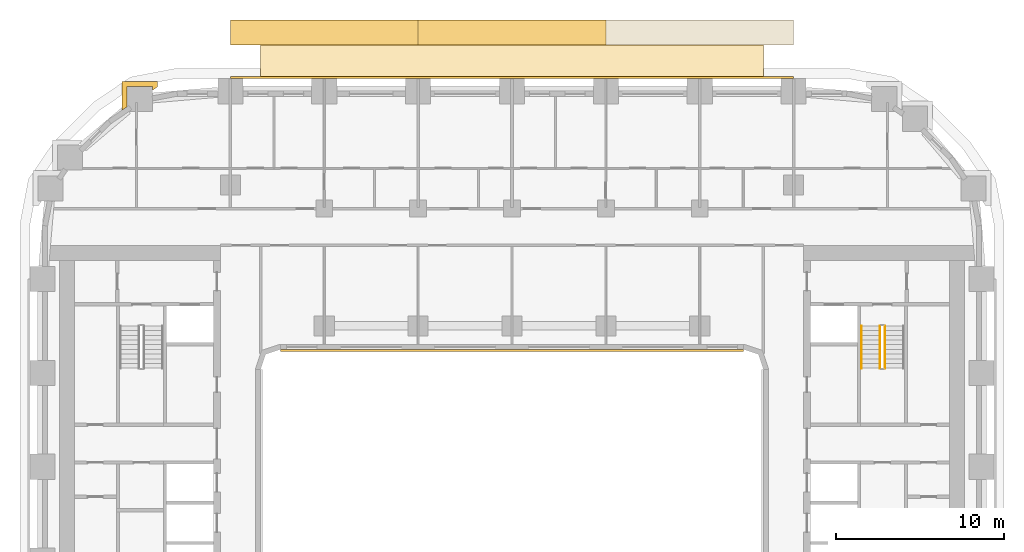
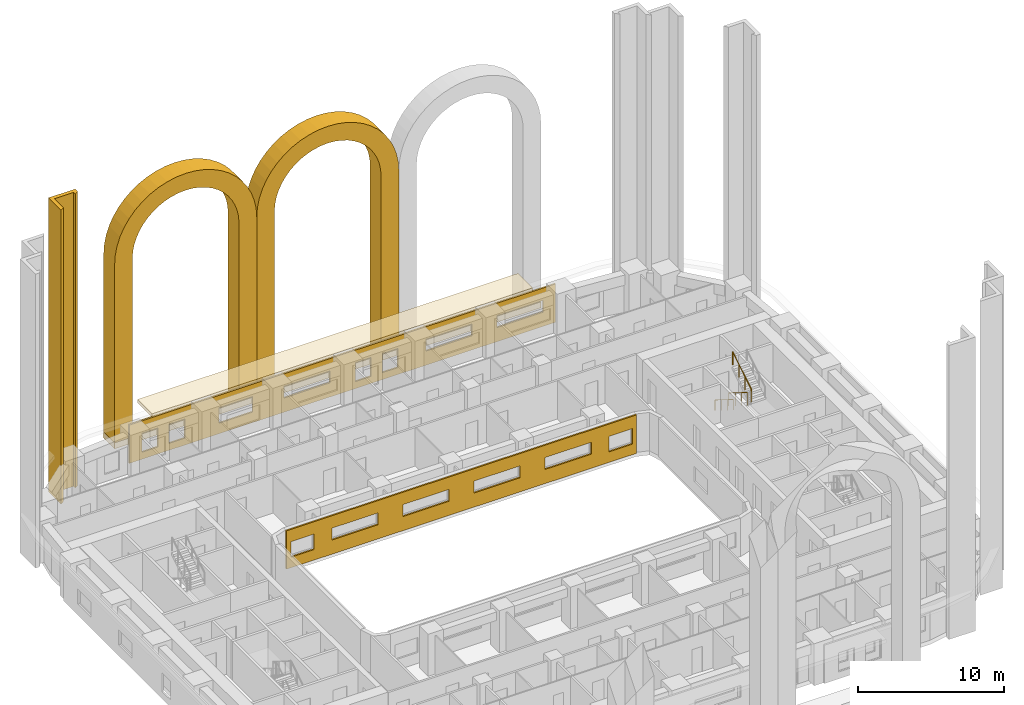
# One storey, part 20 of 21: 7 coverings, 3 railings.
"""IFC4 building model written with IfcOpenShell, lengths in metres."""

import ifcopenshell
import ifcopenshell.guid

model = None  # the IFC model being written
_history = None  # IfcOwnerHistory: only IFC2X3 demands one
_inside = {}  # id of a spatial element -> (the spatial element, [elements in it])
_under = {}  # id of a project, library or spatial element -> (it, [spatial elements below it])
_declared = {}  # id of a project -> (the project, [libraries it declares])
_typed = {}  # id of a type object -> (the type object, [elements of that type])
_made_of = {}  # id of a material, layer set ... -> (it, [elements and type objects made of it])


def new_model(schema):
    """Start an empty IFC model of exactly this schema.

    Asked for "IFC4X3", IfcOpenShell would pick the latest addendum, in which some entities
    have other attributes; the version numbers below select the first issue.
    IFC2X3 requires an IfcOwnerHistory on every rooted entity: one is made here for all.
    """
    global model, _history
    if schema == "IFC4X3":
        model = ifcopenshell.file(schema_version=(4, 3, 0, 0))
    else:
        model = ifcopenshell.file(schema=schema)
    _inside.clear()
    _under.clear()
    _declared.clear()
    _typed.clear()
    _made_of.clear()
    _history = None
    if model.schema == "IFC2X3":
        org = make("IfcOrganization", Name="unknown")
        user = make(
            "IfcPersonAndOrganization",
            ThePerson=make("IfcPerson", FamilyName="unknown"),
            TheOrganization=org,
        )
        app = make(
            "IfcApplication",
            ApplicationDeveloper=org,
            Version="unknown",
            ApplicationFullName="unknown",
            ApplicationIdentifier="unknown",
        )
        _history = make(
            "IfcOwnerHistory",
            OwningUser=user,
            OwningApplication=app,
            ChangeAction="ADDED",
            CreationDate=0,
        )
    return model


def make(cls, **values):
    """One entity of the class cls with the attributes given. An attribute that is None is left unset."""
    return model.create_entity(
        cls, **{name: value for name, value in values.items() if value is not None}
    )


def rooted(cls, **values):
    """An entity with a GlobalId (a new one), such as an element, a storey or a relation."""
    return make(cls, GlobalId=ifcopenshell.guid.new(), OwnerHistory=_history, **values)


def si_unit(unit_type, name, prefix=None):
    """IfcSIUnit, for example si_unit("LENGTHUNIT", "METRE", prefix="MILLI")."""
    return make("IfcSIUnit", UnitType=unit_type, Prefix=prefix, Name=name)


def assignment(units):
    """IfcUnitAssignment: the units of a project."""
    return None if units is None else make("IfcUnitAssignment", Units=units)


def point(xyz):
    """IfcCartesianPoint."""
    return None if xyz is None else make("IfcCartesianPoint", Coordinates=xyz)


def direction(xyz):
    """IfcDirection."""
    return None if xyz is None else make("IfcDirection", DirectionRatios=xyz)


def frame(location, z_axis=None, x_axis=None):
    """IfcAxis2Placement3D, a coordinate frame: its origin and axes. An axis left out is left unset."""
    return make(
        "IfcAxis2Placement3D",
        Location=point(location),
        Axis=direction(z_axis),
        RefDirection=direction(x_axis),
    )


def frame_2d(location, x_axis=None):
    """IfcAxis2Placement2D, a coordinate frame in the plane: its origin and x axis."""
    return make(
        "IfcAxis2Placement2D", Location=point(location), RefDirection=direction(x_axis)
    )


def origin():
    """The frame at (0, 0, 0) with its axes left unset."""
    return frame((0.0, 0.0, 0.0))


def origin_2d():
    """The frame at (0, 0) in the plane with its x axis left unset."""
    return frame_2d((0.0, 0.0))


def place(relative_to, where):
    """IfcLocalPlacement: puts the frame where relative to a parent placement (None: the world)."""
    return make(
        "IfcLocalPlacement", PlacementRelTo=relative_to, RelativePlacement=where
    )


def context(
    kind, dimensions, precision=None, world=None, true_north=None, identifier=None
):
    """IfcGeometricRepresentationContext, for example the 3D "Model" context."""
    return make(
        "IfcGeometricRepresentationContext",
        ContextIdentifier=identifier,
        ContextType=kind,
        CoordinateSpaceDimension=dimensions,
        Precision=precision,
        WorldCoordinateSystem=world,
        TrueNorth=true_north,
    )


def subcontext(parent, identifier, kind, view, scale=None):
    """IfcGeometricRepresentationSubContext, for example "Body" below "Model"."""
    return make(
        "IfcGeometricRepresentationSubContext",
        ContextIdentifier=identifier,
        ContextType=kind,
        ParentContext=parent,
        TargetScale=scale,
        TargetView=view,
    )


def project(units=None, contexts=None):
    """IfcProject with its units and contexts."""
    return rooted(
        "IfcProject",
        Name="project",
        RepresentationContexts=contexts,
        UnitsInContext=assignment(units),
    )


def spatial(cls, under=None, at=None, **own):
    """A site, building, storey or space (cls), placed at a placement, below another one or the project."""
    s = rooted(cls, ObjectPlacement=at, **own)
    if under is not None:
        _under.setdefault(under.id(), (under, []))[1].append(s)
    return s


def polyline(points):
    """IfcPolyline through the points."""
    return make("IfcPolyline", Points=[point(p) for p in points])


def profile(cls, at=None, kind="AREA", **sizes):
    """A parametric profile (cls). Its sizes go by their IFC names, for example OverallWidth=200.0."""
    return make(cls, ProfileType=kind, Position=at, **sizes)


def circle(**sizes):
    """IfcCircleProfileDef."""
    return profile("IfcCircleProfileDef", **sizes)


def outline(outer, holes=None, kind="AREA"):
    """IfcArbitraryClosedProfileDef: a profile drawn as a closed curve; with holes, ...WithVoids."""
    if holes is None:
        return make("IfcArbitraryClosedProfileDef", ProfileType=kind, OuterCurve=outer)
    return make(
        "IfcArbitraryProfileDefWithVoids",
        ProfileType=kind,
        OuterCurve=outer,
        InnerCurves=holes,
    )


def extrude(swept, where, along, depth):
    """IfcExtrudedAreaSolid: the profile swept, set in the frame where, extruded along a direction by depth."""
    return make(
        "IfcExtrudedAreaSolid",
        SweptArea=swept,
        Position=where,
        ExtrudedDirection=direction(along),
        Depth=depth,
    )


def shape(context_of_items, identifier, shape_type, items):
    """IfcShapeRepresentation: the items that make up one representation, for example the "Body"."""
    return make(
        "IfcShapeRepresentation",
        ContextOfItems=context_of_items,
        RepresentationIdentifier=identifier,
        RepresentationType=shape_type,
        Items=items,
    )


def material(Name=None, Category=None):
    """IfcMaterial."""
    return make("IfcMaterial", Name=Name, Category=Category)


def layer(
    of_material, thickness, ventilated=None, Name=None, Category=None, Priority=None
):
    """IfcMaterialLayer: one layer of a wall or slab, of a material (None: an air gap)."""
    return make(
        "IfcMaterialLayer",
        Material=of_material,
        LayerThickness=thickness,
        IsVentilated=ventilated,
        Name=Name,
        Category=Category,
        Priority=Priority,
    )


def layer_set(layers, Name=None):
    """IfcMaterialLayerSet."""
    return make("IfcMaterialLayerSet", MaterialLayers=layers, LayerSetName=Name)


def made_of(thing, what):
    """Note that an element or type object is made of a material, layer set ...; save() writes the relation."""
    if what is not None:
        _made_of.setdefault(what.id(), (what, []))[1].append(thing)
    return thing


def type_object(cls, material=None, **own):
    """A type object (cls), such as IfcWallType, which elements share."""
    return made_of(rooted(cls, **own), material)


def element(
    cls,
    number,
    at=None,
    inside=None,
    cuts=None,
    type_object=None,
    material=None,
    context=None,
    identifier="Body",
    shape_type=None,
    held_by="IfcProductDefinitionShape",
    body=None,
    shapes=None,
    **own,
):
    """One element of the class cls, such as IfcWall. Its Tag is "e" and its number.

    at: its placement. inside: the storey or other place that contains it. cuts: it is an
    opening in that element (IfcRelVoidsElement). A single representation is given by context,
    identifier, shape_type and body (its items); several are given by shapes. held_by: the class
    of the entity that holds the representations. save() writes the other relations.
    """
    e = rooted(cls, Tag="e%d" % number, ObjectPlacement=at, **own)
    if body is not None:
        shapes = [shape(context, identifier, shape_type, body)]
    if shapes is not None:
        e.Representation = make(held_by, Representations=shapes)
    if inside is not None:
        _inside.setdefault(inside.id(), (inside, []))[1].append(e)
    if cuts is not None:
        rooted(
            "IfcRelVoidsElement", RelatingBuildingElement=cuts, RelatedOpeningElement=e
        )
    if type_object is not None:
        _typed.setdefault(type_object.id(), (type_object, []))[1].append(e)
    return made_of(e, material)


def aggregate(whole, parts):
    """IfcRelAggregates: a whole, such as a stair, and the parts it consists of."""
    return rooted("IfcRelAggregates", RelatingObject=whole, RelatedObjects=parts)


def save(model, path):
    """Write the relations noted so far, then the file.

    IfcRelAggregates (storeys below a building ...), IfcRelContainedInSpatialStructure (elements
    in a storey), IfcRelDefinesByType, IfcRelAssociatesMaterial and IfcRelDeclares: one each for
    every whole, place, type object, material and project.
    """
    for whole, parts in _under.values():
        aggregate(whole, parts)
    for where, things in _inside.values():
        rooted(
            "IfcRelContainedInSpatialStructure",
            RelatedElements=things,
            RelatingStructure=where,
        )
    for kind, things in _typed.values():
        rooted("IfcRelDefinesByType", RelatedObjects=things, RelatingType=kind)
    for what, things in _made_of.values():
        rooted("IfcRelAssociatesMaterial", RelatedObjects=things, RelatingMaterial=what)
    for by, libraries in _declared.values():
        rooted("IfcRelDeclares", RelatingContext=by, RelatedDefinitions=libraries)
    model.write(path)


model = new_model("IFC4")

# Units and contexts
model_context = context("Model", 3, precision=1e-05, world=origin(), true_north=direction((0.0, 1.0)))
body_context = subcontext(model_context, "Body", "Model", "MODEL_VIEW")
ifc_project = project(units=[si_unit("LENGTHUNIT", "METRE"), si_unit("AREAUNIT", "SQUARE_METRE"), si_unit("VOLUMEUNIT", "CUBIC_METRE"), si_unit("PLANEANGLEUNIT", "RADIAN"), si_unit("MASSUNIT", "GRAM", prefix="KILO")], contexts=[model_context])

# Site, building, storey
site_placement = place(None, origin())
site = spatial("IfcSite", under=ifc_project, at=site_placement, CompositionType="ELEMENT")
building_placement = place(site_placement, origin())
building = spatial("IfcBuilding", under=site, at=building_placement, Name="Kiln Ring Residences", CompositionType="ELEMENT")
storey_placement = place(building_placement, frame((0.0, 0.0, 30.5)))
storey = spatial("IfcBuildingStorey", under=building, at=storey_placement, Name="L06", CompositionType="ELEMENT", Elevation=30.5)

# Coverings
ifc_material_1 = material(Name="Brick masonry, dark clay brick", Category="masonry")
ifc_layer_1 = layer(ifc_material_1, 0.5)
ifc_layer_set_1 = layer_set([ifc_layer_1], Name="ARCADE PLINTH 500")
covering_type_1 = type_object("IfcCoveringType", Name="ARCADE PLINTH 500", PredefinedType="CLADDING", material=ifc_layer_set_1)
placement = place(storey_placement, origin())
element("IfcCovering", 1, at=placement, inside=storey, type_object=covering_type_1, Name="ARCADE PLINTH Z1 N", PredefinedType="CLADDING", context=body_context, shape_type="SweptSolid", body=[
    extrude(outline(polyline([(-16.800048828125, 25.14990234375), (16.800048828125, 25.14990234375), (16.800048828125, 26.64990234375), (-16.800048828125, 26.64990234375), (-16.800048828125, 25.14990234375)])), origin(), (0.0, 0.0, 1.0), 0.5),
])
ifc_material_2 = material(Name="Brick masonry, dark clay brick", Category="masonry")
ifc_layer_2 = layer(ifc_material_2, 1.39990234375)
ifc_layer_set_2 = layer_set([ifc_layer_2], Name="ARCH SURROUND 1500")
covering_type_2 = type_object("IfcCoveringType", Name="ARCH SURROUND 1500", PredefinedType="CLADDING", material=ifc_layer_set_2)
covering_2_placement = place(storey_placement, frame((-16.800048828125, 25.89990234375, 0.5), z_axis=(0.0, 0.0, 1.0), x_axis=(1.0, 0.0, 0.0)))
element("IfcCovering", 2, at=covering_2_placement, inside=storey, type_object=covering_type_2, Name="ARCH SURROUND Z1 N1.1", PredefinedType="CLADDING", context=body_context, shape_type="SweptSolid", body=[
    extrude(outline(polyline([(0.0, 0.0), (0.0, 14.89990234375), (0.0478515625, 15.630859375), (0.19091796875, 16.349365234375), (0.42626953125, 17.04296875), (0.750244140625, 17.699951171875), (1.1572265625, 18.30908203125), (1.64013671875, 18.85986328125), (2.19091796875, 19.3427734375), (2.800048828125, 19.749755859375), (3.45703125, 20.07373046875), (4.150634765625, 20.30908203125), (4.869140625, 20.4521484375), (5.60009765625, 20.5), (6.330810546875, 20.4521484375), (7.04931640625, 20.30908203125), (7.742919921875, 20.07373046875), (8.39990234375, 19.749755859375), (9.009033203125, 19.3427734375), (9.559814453125, 18.85986328125), (10.042724609375, 18.30908203125), (10.44970703125, 17.699951171875), (10.773681640625, 17.04296875), (11.00927734375, 16.349365234375), (11.152099609375, 15.630859375), (11.199951171875, 14.89990234375), (11.199951171875, 0.0), (9.800048828125, 0.0), (9.800048828125, 14.89990234375), (9.76416015625, 15.4482421875), (9.656982421875, 15.987060546875), (9.480224609375, 16.50732421875), (9.2373046875, 17.0), (8.93212890625, 17.456787109375), (8.56982421875, 17.869873046875), (8.15673828125, 18.232177734375), (7.699951171875, 18.537353515625), (7.207275390625, 18.7802734375), (6.68701171875, 18.956787109375), (6.148193359375, 19.064208984375), (5.60009765625, 19.10009765625), (5.0517578125, 19.064208984375), (4.512939453125, 18.956787109375), (3.99267578125, 18.7802734375), (3.5, 18.537353515625), (3.043212890625, 18.232177734375), (2.630126953125, 17.869873046875), (2.267822265625, 17.456787109375), (1.962646484375, 17.0), (1.7197265625, 16.50732421875), (1.543212890625, 15.987060546875), (1.435791015625, 15.4482421875), (1.39990234375, 14.89990234375), (1.39990234375, 0.0), (0.0, 0.0)])), frame((0.0, 0.75, 0.0), z_axis=(0.0, -1.0, 0.0), x_axis=(1.0, 0.0, 0.0)), (0.0, 0.0, 1.0), 1.5),
])
covering_3_placement = place(storey_placement, frame((-5.60009765625, 25.89990234375, 0.5), z_axis=(0.0, 0.0, 1.0), x_axis=(1.0, 0.0, 0.0)))
element("IfcCovering", 3, at=covering_3_placement, inside=storey, type_object=covering_type_2, Name="ARCH SURROUND Z1 N1.2", PredefinedType="CLADDING", context=body_context, shape_type="SweptSolid", body=[
    extrude(outline(polyline([(0.0, 0.0), (0.0, 14.89990234375), (0.0478515625, 15.630859375), (0.19091796875, 16.349365234375), (0.42626953125, 17.04296875), (0.750244140625, 17.699951171875), (1.1572265625, 18.30908203125), (1.64013671875, 18.85986328125), (2.19091796875, 19.3427734375), (2.800048828125, 19.749755859375), (3.45703125, 20.07373046875), (4.150634765625, 20.30908203125), (4.869140625, 20.4521484375), (5.60009765625, 20.5), (6.330810546875, 20.4521484375), (7.04931640625, 20.30908203125), (7.742919921875, 20.07373046875), (8.39990234375, 19.749755859375), (9.009033203125, 19.3427734375), (9.559814453125, 18.85986328125), (10.042724609375, 18.30908203125), (10.44970703125, 17.699951171875), (10.773681640625, 17.04296875), (11.00927734375, 16.349365234375), (11.152099609375, 15.630859375), (11.199951171875, 14.89990234375), (11.199951171875, 0.0), (9.800048828125, 0.0), (9.800048828125, 14.89990234375), (9.76416015625, 15.4482421875), (9.656982421875, 15.987060546875), (9.480224609375, 16.50732421875), (9.2373046875, 17.0), (8.93212890625, 17.456787109375), (8.56982421875, 17.869873046875), (8.15673828125, 18.232177734375), (7.699951171875, 18.537353515625), (7.207275390625, 18.7802734375), (6.68701171875, 18.956787109375), (6.148193359375, 19.064208984375), (5.60009765625, 19.10009765625), (5.0517578125, 19.064208984375), (4.512939453125, 18.956787109375), (3.99267578125, 18.7802734375), (3.5, 18.537353515625), (3.043212890625, 18.232177734375), (2.630126953125, 17.869873046875), (2.267822265625, 17.456787109375), (1.962646484375, 17.0), (1.7197265625, 16.50732421875), (1.543212890625, 15.987060546875), (1.435791015625, 15.4482421875), (1.39990234375, 14.89990234375), (1.39990234375, 0.0), (0.0, 0.0)])), frame((0.0, 0.75, 0.0), z_axis=(0.0, -1.0, 0.0), x_axis=(1.0, 0.0, 0.0)), (0.0, 0.0, 1.0), 1.5),
])

# Railings
ifc_material_3 = material(Name="Stainless steel", Category="steel")
railing_type_1 = type_object("IfcRailingType", Name="CORE-STAIR-GUARD", PredefinedType="GUARDRAIL", material=ifc_material_3)
railing_1_placement = place(storey_placement, frame((21.949951171875, 8.39990234375, 0.175048828125)))
element("IfcRailing", 4, at=railing_1_placement, inside=storey, type_object=railing_type_1, Name="L06 E-STN stair guard 1", PredefinedType="GUARDRAIL", context=body_context, shape_type="SweptSolid", body=[
    extrude(circle(Radius=0.02392578125, at=origin_2d()), frame((0.0, 0.0, 1.076171875), z_axis=(0.0, -0.848007534815, 0.529984170421), x_axis=(1.0, 0.0, 0.0)), (0.0, 0.0, 1.0), 2.9716796875),
    extrude(circle(Radius=0.02099609375, at=origin_2d()), origin(), (0.0, 0.0, 1.0), 1.052001953125),
    extrude(circle(Radius=0.02099609375, at=origin_2d()), frame((0.0, -0.840087890625, 0.52490234375)), (0.0, 0.0, 1.0), 1.052001953125),
    extrude(circle(Radius=0.02099609375, at=origin_2d()), frame((0.0, -1.679931640625, 1.050048828125)), (0.0, 0.0, 1.0), 1.052001953125),
    extrude(circle(Radius=0.02099609375, at=origin_2d()), frame((0.0, -2.52001953125, 1.574951171875)), (0.0, 0.0, 1.0), 1.052001953125),
])
railing_2_placement = place(storey_placement, frame((22.25, 5.8798828125, 1.925048828125)))
element("IfcRailing", 5, at=railing_2_placement, inside=storey, type_object=railing_type_1, Name="L06 E-STN stair guard 3", PredefinedType="GUARDRAIL", context=body_context, shape_type="SweptSolid", body=[
    extrude(circle(Radius=0.02392578125, at=origin_2d()), frame((0.0, 0.0, 1.076171875), z_axis=(0.0, 0.848007534815, 0.529984170421), x_axis=(-1.0, 0.0, 0.0)), (0.0, 0.0, 1.0), 2.9716796875),
    extrude(circle(Radius=0.02099609375, at=origin_2d()), origin(), (0.0, 0.0, 1.0), 1.052001953125),
    extrude(circle(Radius=0.02099609375, at=origin_2d()), frame((0.0, 0.840087890625, 0.52490234375)), (0.0, 0.0, 1.0), 1.052001953125),
    extrude(circle(Radius=0.02099609375, at=origin_2d()), frame((0.0, 1.679931640625, 1.050048828125)), (0.0, 0.0, 1.0), 1.052001953125),
    extrude(circle(Radius=0.02099609375, at=origin_2d()), frame((0.0, 2.52001953125, 1.574951171875)), (0.0, 0.0, 1.0), 1.052001953125),
])
ifc_material_4 = material(Name="Stainless steel", Category="steel")
railing_type_2 = type_object("IfcRailingType", Name="CORE-STAIR-HANDRAIL", PredefinedType="HANDRAIL", material=ifc_material_4)
railing_3_placement = place(storey_placement, frame((20.85009765625, 8.39990234375, 0.175048828125)))
element("IfcRailing", 6, at=railing_3_placement, inside=storey, type_object=railing_type_2, Name="L06 E-STN stair handrail 1", PredefinedType="HANDRAIL", context=body_context, shape_type="SweptSolid", body=[
    extrude(circle(Radius=0.02392578125, at=origin_2d()), frame((0.0, 0.0, 0.8759765625), z_axis=(0.0, -0.848007534815, 0.529984170421), x_axis=(1.0, 0.0, 0.0)), (0.0, 0.0, 1.0), 2.9716796875),
    extrude(circle(Radius=0.02099609375, at=origin_2d()), origin(), (0.0, 0.0, 1.0), 0.851806640625),
    extrude(circle(Radius=0.02099609375, at=origin_2d()), frame((0.0, -0.840087890625, 0.52490234375)), (0.0, 0.0, 1.0), 0.851806640625),
    extrude(circle(Radius=0.02099609375, at=origin_2d()), frame((0.0, -1.679931640625, 1.050048828125)), (0.0, 0.0, 1.0), 0.851806640625),
    extrude(circle(Radius=0.02099609375, at=origin_2d()), frame((0.0, -2.52001953125, 1.574951171875)), (0.0, 0.0, 1.0), 0.851806640625),
])

# Coverings
ifc_material_5 = material(Name="Brick masonry, dark clay brick", Category="masonry")
ifc_layer_3 = layer(ifc_material_5, 0.300048828125)
ifc_layer_set_3 = layer_set([ifc_layer_3], Name="PIER CLADDING 300")
covering_type_3 = type_object("IfcCoveringType", Name="PIER CLADDING 300", PredefinedType="CLADDING", material=ifc_layer_set_3)
element("IfcCovering", 7, at=placement, inside=storey, type_object=covering_type_3, Name="PIER CLADDING L06-L12", PredefinedType="CLADDING", context=body_context, shape_type="SweptSolid", body=[
    extrude(outline(polyline([(-21.15869140625, 22.988037109375), (-23.2587890625, 22.988037109375), (-23.2587890625, 21.272705078125), (-22.958740234375, 21.4765625), (-22.958740234375, 22.68798828125), (-21.458740234375, 22.68798828125), (-21.458740234375, 22.44775390625), (-21.15869140625, 22.651611328125), (-21.15869140625, 22.988037109375)])), origin(), (0.0, 0.0, 1.0), 24.5),
])
ifc_material_6 = material(Name="Brick masonry, dark clay brick", Category="masonry")
ifc_layer_4 = layer(ifc_material_6, 0.1201171875)
ifc_layer_set_4 = layer_set([ifc_layer_4], Name="RAINSCREEN PANEL 120")
covering_type_4 = type_object("IfcCoveringType", Name="RAINSCREEN PANEL 120", PredefinedType="CLADDING", material=ifc_layer_set_4)
covering_5_placement = place(storey_placement, frame((16.800048828125, 23.2099609375, 0.0), z_axis=(0.0, 0.0, 1.0), x_axis=(-1.0, 0.0, 0.0)))
element("IfcCovering", 8, at=covering_5_placement, inside=storey, type_object=covering_type_4, Name="RAINSCREEN L06", PredefinedType="CLADDING", context=body_context, shape_type="SweptSolid", body=[
    extrude(outline(polyline([(0.0, 0.0), (33.60009765625, 0.0), (33.60009765625, 3.199951171875), (0.0, 3.199951171875), (0.0, 0.0)]), holes=[polyline([(12.41748046875, 0.580078125), (13.657470703125, 0.580078125), (13.657470703125, 2.169921875), (12.41748046875, 2.169921875), (12.41748046875, 0.580078125)]), polyline([(14.54248046875, 0.580078125), (15.782470703125, 0.580078125), (15.782470703125, 2.169921875), (14.54248046875, 2.169921875), (14.54248046875, 0.580078125)]), polyline([(29.217529296875, 0.580078125), (30.45751953125, 0.580078125), (30.45751953125, 2.169921875), (29.217529296875, 2.169921875), (29.217529296875, 0.580078125)]), polyline([(31.342529296875, 0.580078125), (32.58251953125, 0.580078125), (32.58251953125, 2.169921875), (31.342529296875, 2.169921875), (31.342529296875, 0.580078125)]), polyline([(23.8798828125, 0.8798828125), (26.52001953125, 0.8798828125), (26.52001953125, 2.169921875), (23.8798828125, 2.169921875), (23.8798828125, 0.8798828125)]), polyline([(0.97998046875, 1.179931640625), (4.6201171875, 1.179931640625), (4.6201171875, 2.169921875), (0.97998046875, 2.169921875), (0.97998046875, 1.179931640625)]), polyline([(6.580078125, 1.179931640625), (10.219970703125, 1.179931640625), (10.219970703125, 2.169921875), (6.580078125, 2.169921875), (6.580078125, 1.179931640625)]), polyline([(17.780029296875, 1.179931640625), (21.419921875, 1.179931640625), (21.419921875, 2.169921875), (17.780029296875, 2.169921875), (17.780029296875, 1.179931640625)])]), frame((0.0, 0.06005859375, 0.0), z_axis=(0.0, -1.0, 0.0), x_axis=(1.0, 0.0, 0.0)), (0.0, 0.0, 1.0), 0.1201171875),
])
covering_6_placement = place(storey_placement, frame((-13.800048828125, 6.93994140625, 0.0), z_axis=(0.0, 0.0, 1.0), x_axis=(1.0, 0.0, 0.0)))
element("IfcCovering", 9, at=covering_6_placement, inside=storey, type_object=covering_type_4, Name="RAINSCREEN L06", PredefinedType="CLADDING", context=body_context, shape_type="SweptSolid", body=[
    extrude(outline(polyline([(0.0, 0.0), (27.60009765625, 0.0), (27.60009765625, 3.199951171875), (0.0, 3.199951171875), (0.0, 0.0)]), holes=[polyline([(2.1826171875, 0.8798828125), (2.1826171875, 2.169921875), (0.342529296875, 2.169921875), (0.342529296875, 0.8798828125), (2.1826171875, 0.8798828125)]), polyline([(25.41748046875, 0.8798828125), (27.257568359375, 0.8798828125), (27.257568359375, 2.169921875), (25.41748046875, 2.169921875), (25.41748046875, 0.8798828125)]), polyline([(3.580078125, 1.179931640625), (7.219970703125, 1.179931640625), (7.219970703125, 2.169921875), (3.580078125, 2.169921875), (3.580078125, 1.179931640625)]), polyline([(12.820068359375, 1.179931640625), (12.820068359375, 2.169921875), (9.179931640625, 2.169921875), (9.179931640625, 1.179931640625), (12.820068359375, 1.179931640625)]), polyline([(14.780029296875, 1.179931640625), (18.419921875, 1.179931640625), (18.419921875, 2.169921875), (14.780029296875, 2.169921875), (14.780029296875, 1.179931640625)]), polyline([(20.3798828125, 1.179931640625), (24.02001953125, 1.179931640625), (24.02001953125, 2.169921875), (20.3798828125, 2.169921875), (20.3798828125, 1.179931640625)])]), frame((0.0, 0.06005859375, 0.0), z_axis=(0.0, -1.0, 0.0), x_axis=(1.0, 0.0, 0.0)), (0.0, 0.0, 1.0), 0.1201171875),
])
ifc_material_7 = material(Name="Black powder-coated steel", Category="steel")
ifc_layer_5 = layer(ifc_material_7, 0.300048828125)
ifc_layer_set_5 = layer_set([ifc_layer_5], Name="SUNSHADE BAND 2000")
covering_type_5 = type_object("IfcCoveringType", Name="SUNSHADE BAND 2000", PredefinedType="CLADDING", material=ifc_layer_set_5)
covering_7_placement = place(storey_placement, frame((0.0, 0.0, 3.199951171875)))
element("IfcCovering", 10, at=covering_7_placement, inside=storey, type_object=covering_type_5, Name="SUNSHADE BAND L06", PredefinedType="CLADDING", context=body_context, shape_type="SweptSolid", body=[
    extrude(outline(polyline([(15.0, 25.14990234375), (-15.0, 25.14990234375), (-15.0, 23.14990234375), (15.0, 23.14990234375), (15.0, 25.14990234375)])), origin(), (0.0, 0.0, 1.0), 0.300048828125),
])

save(model, "model.ifc")
